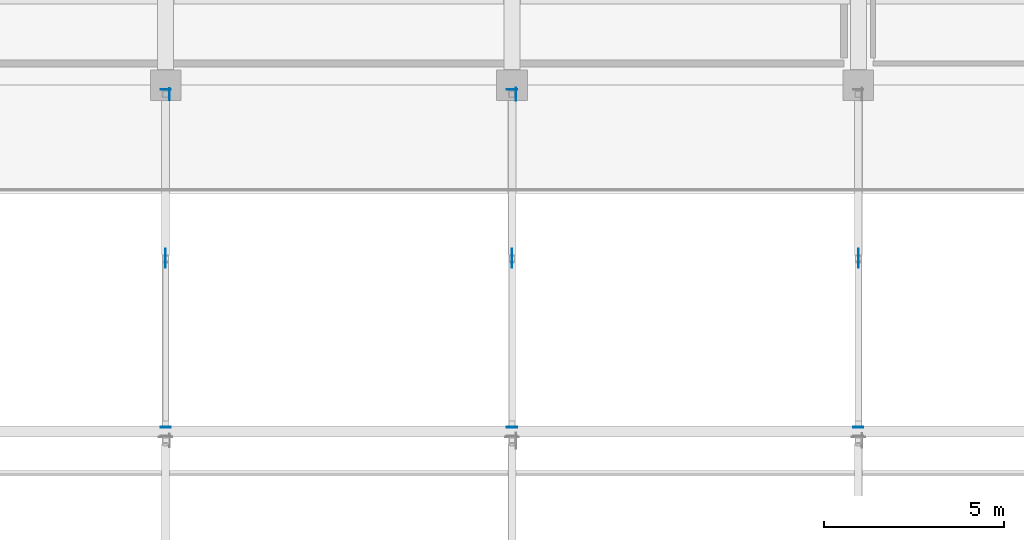
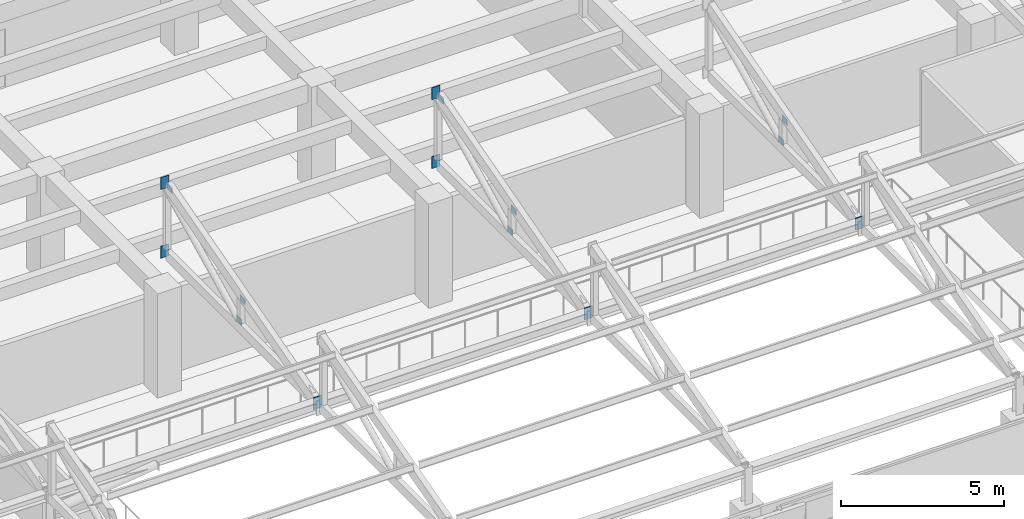
# One storey, part 43 of 58: 15 plates.
"""IFC4 building model written with IfcOpenShell, lengths in metres."""

from ifc_helpers import new_model, si_unit, direction, frame, origin, origin_2d, place, context, subcontext, project, spatial, rectangle, extrude, material, layer, layer_set, type_object, element, save


model = new_model("IFC4")

# Units and contexts
model_context = context("Model", 3, precision=1e-05, world=origin(), true_north=direction((0.0, 1.0)))
body_context = subcontext(model_context, "Body", "Model", "MODEL_VIEW")
ifc_project = project(units=[si_unit("LENGTHUNIT", "METRE"), si_unit("AREAUNIT", "SQUARE_METRE"), si_unit("VOLUMEUNIT", "CUBIC_METRE"), si_unit("PLANEANGLEUNIT", "RADIAN"), si_unit("MASSUNIT", "GRAM", prefix="KILO")], contexts=[model_context])

# Site, building, storey
site_placement = place(None, origin())
site = spatial("IfcSite", under=ifc_project, at=site_placement, CompositionType="ELEMENT")
building_placement = place(site_placement, origin())
building = spatial("IfcBuilding", under=site, at=building_placement, Name="Bempovik Park Faculty of Sciences", CompositionType="ELEMENT")
storey_placement = place(building_placement, frame((0.0, 0.0, 18.300048828125)))
storey = spatial("IfcBuildingStorey", under=building, at=storey_placement, Name="L04", CompositionType="ELEMENT", Elevation=18.300048828125)

# Plates
ifc_material = material(Name="Steel S355", Category="steel")
ifc_layer_1 = layer(ifc_material, 0.01611328125)
ifc_layer_set_1 = layer_set([ifc_layer_1], Name="Steel S355")
plate_type_1 = type_object("IfcPlateType", Name="PL-19 Steel Plate 350x240x16", PredefinedType="USERDEFINED", material=ifc_layer_set_1)
plate_placement = place(storey_placement, frame((88.906005859375, 86.75, 7.45458984375), z_axis=(0.0, 0.0, 1.0), x_axis=(1.0, 0.0, 0.0)))
element("IfcPlate", 1, at=plate_placement, inside=storey, type_object=plate_type_1, Name="Sawtooth Ridge Gusset Plate V2-B2-88.8", ObjectType="STIFFENER PLATE", PredefinedType="USERDEFINED", context=body_context, shape_type="SweptSolid", body=[
    extrude(rectangle(XDim=0.01611328125, YDim=0.35009765625, at=origin_2d()), origin(), (0.0, 0.0, 1.0), 0.239990234375),
])
ifc_layer_2 = layer(ifc_material, 0.011962890625)
ifc_layer_set_2 = layer_set([ifc_layer_2], Name="Steel S355")
plate_type_2 = type_object("IfcPlateType", Name="PL-26 Steel Plate 320x220x12", PredefinedType="SHEET", material=ifc_layer_set_2)
for number, where, z_axis, x_axis, name in (
    (2, (79.303955078125, 86.75, 7.46435546875), (0.0, 0.0, 1.0), (1.0, 0.0, 0.0), "Sawtooth Ridge Gusset Plate V2-B2-79.2"),
    (3, (79.199951171875, 82.094970703125, 6.138671875), (0.0, 0.0, 1.0), (1.0, 0.0, 0.0), "Brace/Strut End Gusset Plate SAW-V2-B2-D1-792-E2"),
    (4, (79.199951171875, 82.304931640625, 5.2509765625), (0.0, 0.0, 1.0), (1.0, 0.0, 0.0), "Brace/Strut End Gusset Plate SAW-V2-B2-D2-792-E1"),
    (5, (88.800048828125, 82.094970703125, 6.138671875), (0.0, 0.0, 1.0), (1.0, 0.0, 0.0), "Brace/Strut End Gusset Plate SAW-V2-B2-D1-888-E2"),
    (6, (88.800048828125, 82.304931640625, 5.2509765625), (0.0, 0.0, 1.0), (1.0, 0.0, 0.0), "Brace/Strut End Gusset Plate SAW-V2-B2-D2-888-E1"),
    (7, (98.39990234375, 82.094970703125, 6.138671875), (0.0, 0.0, 1.0), (1.0, 0.0, 0.0), "Brace/Strut End Gusset Plate SAW-V2-B2-D1-984-E2"),
    (8, (98.39990234375, 82.304931640625, 5.2509765625), (0.0, 0.0, 1.0), (1.0, 0.0, 0.0), "Brace/Strut End Gusset Plate SAW-V2-B2-D2-984-E1"),
):
    element("IfcPlate", number, at=place(storey_placement, frame(where, z_axis=z_axis, x_axis=x_axis)), inside=storey, type_object=plate_type_2, Name=name, PredefinedType="SHEET", context=body_context, shape_type="SweptSolid", body=[
        extrude(rectangle(XDim=0.011962890625, YDim=0.320068359375, at=origin_2d()), origin(), (0.0, 0.0, 1.0), 0.219970703125),
    ])
ifc_layer_3 = layer(ifc_material, 0.02001953125)
ifc_layer_set_3 = layer_set([ifc_layer_3], Name="Steel S355")
plate_type_3 = type_object("IfcPlateType", Name="PL-36 Steel Plate 450x280x20", PredefinedType="USERDEFINED", material=ifc_layer_set_3)
for number, where, z_axis, x_axis, name in (
    (9, (79.199951171875, 86.8779296875, 7.52978515625), (0.0, 0.0, 1.0), (1.0, 0.0, 0.0), "Atrium Sawtooth Rafter End Cap V2-B2-79.2"),
    (10, (79.199951171875, 77.52197265625, 4.95751953125), (0.0, 0.0, 1.0), (1.0, 0.0, 0.0), "Atrium Sawtooth Valley Rafter End Cap V2-B2-79.2"),
    (11, (79.199951171875, 86.8779296875, 4.955078125), (0.0, 0.0, 1.0), (1.0, 0.0, 0.0), "Atrium Sawtooth Bottom Chord End Cap V2-B2-79.2"),
    (12, (88.800048828125, 86.8779296875, 7.52978515625), (0.0, 0.0, 1.0), (1.0, 0.0, 0.0), "Atrium Sawtooth Rafter End Cap V2-B2-88.8"),
    (13, (88.800048828125, 77.52197265625, 4.95751953125), (0.0, 0.0, 1.0), (1.0, 0.0, 0.0), "Atrium Sawtooth Valley Rafter End Cap V2-B2-88.8"),
    (14, (88.800048828125, 86.8779296875, 4.955078125), (0.0, 0.0, 1.0), (1.0, 0.0, 0.0), "Atrium Sawtooth Bottom Chord End Cap V2-B2-88.8"),
    (15, (98.39990234375, 77.52197265625, 4.95751953125), (0.0, 0.0, 1.0), (1.0, 0.0, 0.0), "Atrium Sawtooth Valley Rafter End Cap V2-B2-98.4"),
):
    element("IfcPlate", number, at=place(storey_placement, frame(where, z_axis=z_axis, x_axis=x_axis)), inside=storey, type_object=plate_type_3, Name=name, ObjectType="STIFFENER PLATE", PredefinedType="USERDEFINED", context=body_context, shape_type="SweptSolid", body=[
        extrude(rectangle(XDim=0.280029296875, YDim=0.02001953125, at=origin_2d()), origin(), (0.0, 0.0, 1.0), 0.449951171875),
    ])

save(model, "model.ifc")
